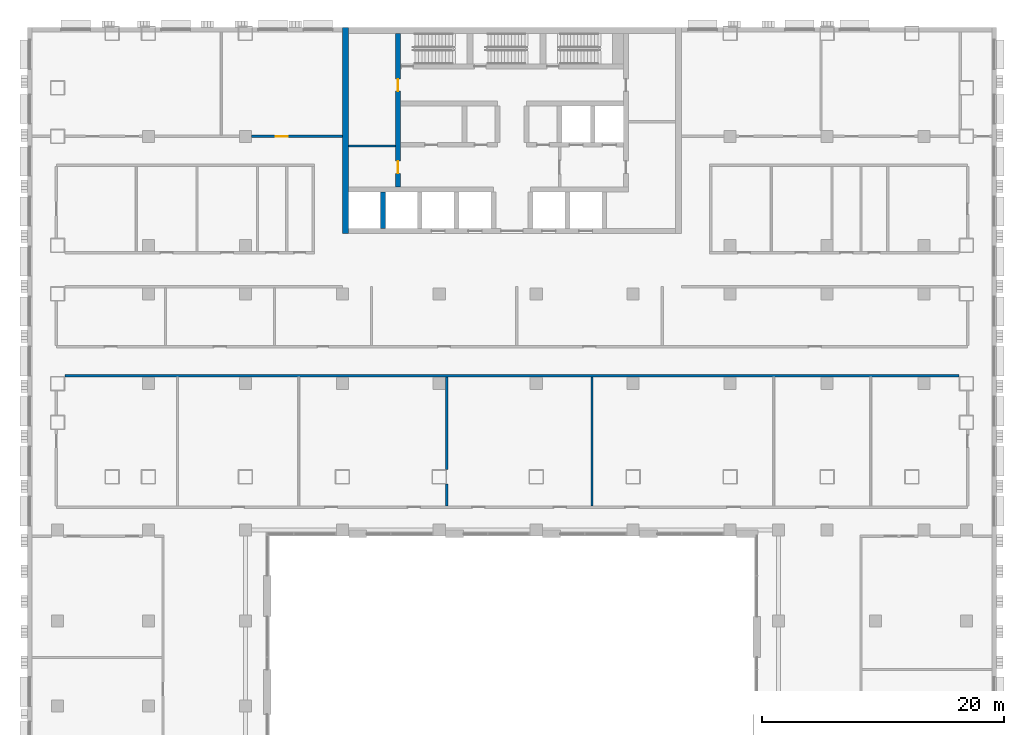
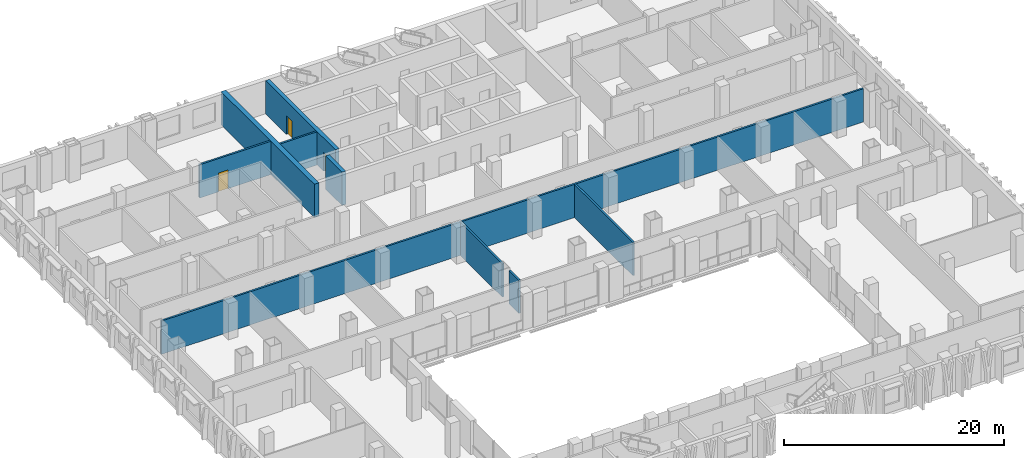
# One storey, part 12 of 26: 9 walls, 3 doors, 3 openings.
"""IFC4 building model written with IfcOpenShell, lengths in metres."""

from ifc_helpers import new_model, si_unit, direction, frame, frame_2d, origin, place, context, subcontext, project, spatial, rectangle, extrude, material, layer, layer_set, type_object, element, fill, save


model = new_model("IFC4")

# Units and contexts
model_context = context("Model", 3, precision=1e-05, world=origin(), true_north=direction((0.0, 1.0)))
body_context = subcontext(model_context, "Body", "Model", "MODEL_VIEW")
ifc_project = project(units=[si_unit("LENGTHUNIT", "METRE"), si_unit("AREAUNIT", "SQUARE_METRE"), si_unit("VOLUMEUNIT", "CUBIC_METRE"), si_unit("PLANEANGLEUNIT", "RADIAN"), si_unit("MASSUNIT", "GRAM", prefix="KILO")], contexts=[model_context])

# Site, building, storey
site_placement = place(None, origin())
site = spatial("IfcSite", under=ifc_project, at=site_placement, CompositionType="ELEMENT")
building_placement = place(site_placement, origin())
building = spatial("IfcBuilding", under=site, at=building_placement, Name="Vidyagriha Tower", CompositionType="ELEMENT")
storey_placement = place(building_placement, frame((0.0, 0.0, 6.0)))
storey = spatial("IfcBuildingStorey", under=building, at=storey_placement, Name="L01", CompositionType="ELEMENT", Elevation=6.0)

# Wall, openings, doors
ifc_material_1 = material(Name="Concrete C60/75", Category="concrete")
ifc_layer_1 = layer(ifc_material_1, 0.39990234375)
ifc_layer_set_1 = layer_set([ifc_layer_1], Name="Concrete C60/75")
wall_type_1 = type_object("IfcWallType", Name="Core shear wall 400 mm", PredefinedType="SHEAR", material=ifc_layer_set_1)
wall_1_placement = place(storey_placement, frame((-9.39990234375, 6.800048828125, 0.0), z_axis=(0.0, 0.0, 1.0), x_axis=(0.0, 1.0, 0.0)))
wall_1 = element("IfcWall", 1, at=wall_1_placement, inside=storey, type_object=wall_type_1, Name="Core west spine wall", PredefinedType="SHEAR", context=body_context, shape_type="SweptSolid", body=[
    extrude(rectangle(XDim=12.699951171875, YDim=0.39990234375, at=frame_2d((6.35009765625, 0.0))), origin(), (0.0, 0.0, 1.0), 3.699951171875),
])
opening_1_placement = place(wall_1_placement, frame((1.14990234375, 0.0, 0.0)))
opening_1 = element("IfcOpeningElement", 2, at=opening_1_placement, cuts=wall_1, Name="Opening D01-09", PredefinedType="OPENING", context=body_context, shape_type="SweptSolid", body=[
    extrude(rectangle(XDim=1.0, YDim=2.10009765625, at=frame_2d((0.5, 1.050048828125))), frame((0.0, 0.2099609375, 0.0), z_axis=(0.0, -1.0, 0.0), x_axis=(1.0, 0.0, 0.0)), (0.0, 0.0, 1.0), 0.419921875),
])
opening_2_placement = place(wall_1_placement, frame((7.925048828125, 0.0, 0.0)))
opening_2 = element("IfcOpeningElement", 3, at=opening_2_placement, cuts=wall_1, Name="Opening D01-10", PredefinedType="OPENING", context=body_context, shape_type="SweptSolid", body=[
    extrude(rectangle(XDim=1.0, YDim=2.10009765625, at=frame_2d((0.5, 1.050048828125))), frame((0.0, 0.2099609375, 0.0), z_axis=(0.0, -1.0, 0.0), x_axis=(1.0, 0.0, 0.0)), (0.0, 0.0, 1.0), 0.419921875),
])
ifc_material_2 = material(Name="Hollow metal door leaf")
door_type_1 = type_object("IfcDoorType", Name="Core room door 1000 x 2100 mm EI 60", OperationType="NOTDEFINED", PredefinedType="DOOR", material=ifc_material_2)
door_1_placement = place(opening_1_placement, frame((1.0, 0.0, 0.0), z_axis=(0.0, 0.0, 1.0), x_axis=(-1.0, 0.0, 0.0)))
door_1 = element("IfcDoor", 4, at=door_1_placement, inside=storey, type_object=door_type_1, Name="Door Refuse Room 01.W1", OperationType="SINGLE_SWING_RIGHT", OverallHeight=2.10009765625, OverallWidth=1.0, PredefinedType="DOOR", context=body_context, shape_type="SweptSolid", body=[
    extrude(rectangle(XDim=1.0, YDim=2.10009765625, at=frame_2d((0.5, 1.050048828125))), frame((0.0, 0.02490234375, 0.0), z_axis=(0.0, -1.0, 0.0), x_axis=(1.0, 0.0, 0.0)), (0.0, 0.0, 1.0), 0.050048828125),
])
fill(opening_1, door_1)
door_2_placement = place(opening_2_placement, frame((1.0, 0.0, 0.0), z_axis=(0.0, 0.0, 1.0), x_axis=(-1.0, 0.0, 0.0)))
door_2 = element("IfcDoor", 5, at=door_2_placement, inside=storey, type_object=door_type_1, Name="Door Switchgear Room 01.W2", OperationType="SINGLE_SWING_LEFT", OverallHeight=2.10009765625, OverallWidth=1.0, PredefinedType="DOOR", context=body_context, shape_type="SweptSolid", body=[
    extrude(rectangle(XDim=1.0, YDim=2.10009765625, at=frame_2d((0.5, 1.050048828125))), frame((0.0, 0.02490234375, 0.0), z_axis=(0.0, -1.0, 0.0), x_axis=(1.0, 0.0, 0.0)), (0.0, 0.0, 1.0), 0.050048828125),
])
fill(opening_2, door_2)

# Walls
wall_2_placement = place(storey_placement, frame((-10.655517578125, 3.39990234375, 0.0), z_axis=(0.0, 0.0, 1.0), x_axis=(0.0, 1.0, 0.0)))
element("IfcWall", 6, at=wall_2_placement, inside=storey, type_object=wall_type_1, Name="Core bay wall S1", PredefinedType="SHEAR", context=body_context, shape_type="SweptSolid", body=[
    extrude(rectangle(XDim=3.0, YDim=0.39990234375, at=frame_2d((1.5, 0.0))), origin(), (0.0, 0.0, 1.0), 3.699951171875),
])
ifc_material_3 = material(Name="Concrete C60/75", Category="concrete")
ifc_layer_2 = layer(ifc_material_3, 0.5)
ifc_layer_set_2 = layer_set([ifc_layer_2], Name="Concrete C60/75")
wall_type_2 = type_object("IfcWallType", Name="Core shear wall 500 mm", PredefinedType="SHEAR", material=ifc_layer_set_2)
wall_3_placement = place(storey_placement, frame((-13.75, 3.0, 0.0), z_axis=(0.0, 0.0, 1.0), x_axis=(0.0, 1.0, 0.0)))
element("IfcWall", 7, at=wall_3_placement, inside=storey, type_object=wall_type_2, Name="Core west wall", PredefinedType="SHEAR", context=body_context, shape_type="SweptSolid", body=[
    extrude(rectangle(XDim=17.0, YDim=0.5, at=frame_2d((8.5, 0.0))), origin(), (0.0, 0.0, 1.0), 3.699951171875),
])
ifc_material_4 = material(Name="Fire rated gypsum board on light gauge framing")
ifc_layer_3 = layer(ifc_material_4, 0.199951171875)
ifc_layer_set_3 = layer_set([ifc_layer_3], Name="Fire rated gypsum board on light gauge framing")
wall_type_3 = type_object("IfcWallType", Name="Fire Rated Corridor Wall 200", PredefinedType="PARTITIONING", material=ifc_layer_set_3)
wall_4_placement = place(storey_placement, frame((-36.89990234375, -8.75, 0.0)))
element("IfcWall", 8, at=wall_4_placement, inside=storey, type_object=wall_type_3, Name="L01 Fire Rated Corridor Wall 200 022", PredefinedType="PARTITIONING", context=body_context, shape_type="SweptSolid", body=[
    extrude(rectangle(XDim=73.7998046875, YDim=0.199951171875, at=frame_2d((36.89990234375, 0.0))), origin(), (0.0, 0.0, 1.0), 3.699951171875),
])

# Wall, opening, door
wall_5_placement = place(storey_placement, frame((-21.5, 11.0, 0.0)))
wall_5 = element("IfcWall", 9, at=wall_5_placement, inside=storey, type_object=wall_type_3, Name="L01 Fire Rated Corridor Wall 200 033", PredefinedType="PARTITIONING", context=body_context, shape_type="SweptSolid", body=[
    extrude(rectangle(XDim=7.5, YDim=0.199951171875, at=frame_2d((3.75, 0.0))), origin(), (0.0, 0.0, 1.0), 3.699951171875),
])
opening_3_placement = place(wall_5_placement, frame((2.0, 0.0, 0.0)))
opening_3 = element("IfcOpeningElement", 10, at=opening_3_placement, cuts=wall_5, Name="Opening D01-54", PredefinedType="OPENING", context=body_context, shape_type="SweptSolid", body=[
    extrude(rectangle(XDim=1.0, YDim=2.10009765625, at=frame_2d((0.5, 1.050048828125))), frame((0.0, 0.10986328125, 0.0), z_axis=(0.0, -1.0, 0.0), x_axis=(1.0, 0.0, 0.0)), (0.0, 0.0, 1.0), 0.219970703125),
])
ifc_material_5 = material(Name="Steel fire door set", Category="steel")
door_type_2 = type_object("IfcDoorType", Name="Podium Door 1000x2100 EI 30", OperationType="NOTDEFINED", PredefinedType="DOOR", material=ifc_material_5)
door_3_placement = place(opening_3_placement, origin())
door_3 = element("IfcDoor", 11, at=door_3_placement, inside=storey, type_object=door_type_2, Name="L01 door D01-54", OperationType="SINGLE_SWING_LEFT", OverallHeight=2.10009765625, OverallWidth=1.0, PredefinedType="DOOR", context=body_context, shape_type="SweptSolid", body=[
    extrude(rectangle(XDim=1.0, YDim=2.10009765625, at=frame_2d((0.5, 1.050048828125))), frame((0.0, 0.02490234375, 0.0), z_axis=(0.0, -1.0, 0.0), x_axis=(1.0, 0.0, 0.0)), (0.0, 0.0, 1.0), 0.050048828125),
])
fill(opening_3, door_3)

# Walls
wall_6_placement = place(storey_placement, frame((-5.39990234375, -19.5, 0.0), z_axis=(0.0, 0.0, 1.0), x_axis=(0.0, 1.0, 0.0)))
element("IfcWall", 12, at=wall_6_placement, inside=storey, type_object=wall_type_3, Name="L01 Fire Rated Corridor Wall 200 058", PredefinedType="PARTITIONING", context=body_context, shape_type="SweptSolid", body=[
    extrude(rectangle(XDim=1.800048828125, YDim=0.199951171875, at=frame_2d((0.89990234375, 0.0))), origin(), (0.0, 0.0, 1.0), 3.699951171875),
])
wall_7_placement = place(storey_placement, frame((-5.39990234375, -16.5, 0.0), z_axis=(0.0, 0.0, 1.0), x_axis=(0.0, 1.0, 0.0)))
element("IfcWall", 13, at=wall_7_placement, inside=storey, type_object=wall_type_3, Name="L01 Fire Rated Corridor Wall 200 059", PredefinedType="PARTITIONING", context=body_context, shape_type="SweptSolid", body=[
    extrude(rectangle(XDim=7.64990234375, YDim=0.199951171875, at=frame_2d((3.824951171875, 0.0))), origin(), (0.0, 0.0, 1.0), 3.699951171875),
])
wall_8_placement = place(storey_placement, frame((6.60009765625, -19.5, 0.0), z_axis=(0.0, 0.0, 1.0), x_axis=(0.0, 1.0, 0.0)))
element("IfcWall", 14, at=wall_8_placement, inside=storey, type_object=wall_type_3, Name="L01 Fire Rated Corridor Wall 200 063", PredefinedType="PARTITIONING", context=body_context, shape_type="SweptSolid", body=[
    extrude(rectangle(XDim=10.64990234375, YDim=0.199951171875, at=frame_2d((5.324951171875, 0.0))), origin(), (0.0, 0.0, 1.0), 3.699951171875),
])
ifc_material_6 = material(Name="Blockwork 15 MPa", Category="masonry")
ifc_layer_4 = layer(ifc_material_6, 0.199951171875)
ifc_layer_set_4 = layer_set([ifc_layer_4], Name="Blockwork 15 MPa")
wall_type_4 = type_object("IfcWallType", Name="Service room partition 200 mm", PredefinedType="PARTITIONING", material=ifc_layer_set_4)
wall_9_placement = place(storey_placement, frame((-13.5, 10.199951171875, 0.0)))
element("IfcWall", 15, at=wall_9_placement, inside=storey, type_object=wall_type_4, Name="Core room partition W1", PredefinedType="PARTITIONING", context=body_context, shape_type="SweptSolid", body=[
    extrude(rectangle(XDim=3.89990234375, YDim=0.199951171875, at=frame_2d((1.949951171875, 0.0))), origin(), (0.0, 0.0, 1.0), 3.699951171875),
])

save(model, "model.ifc")
